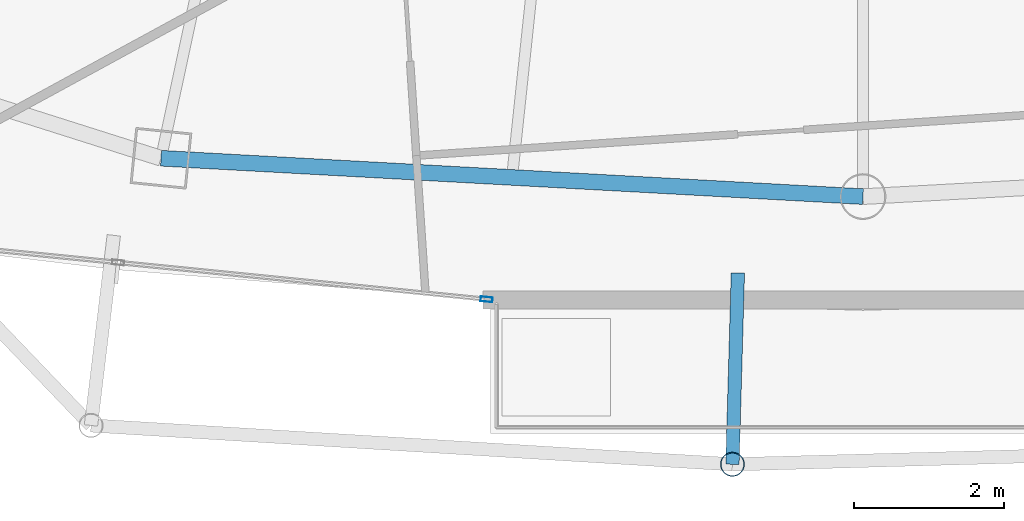
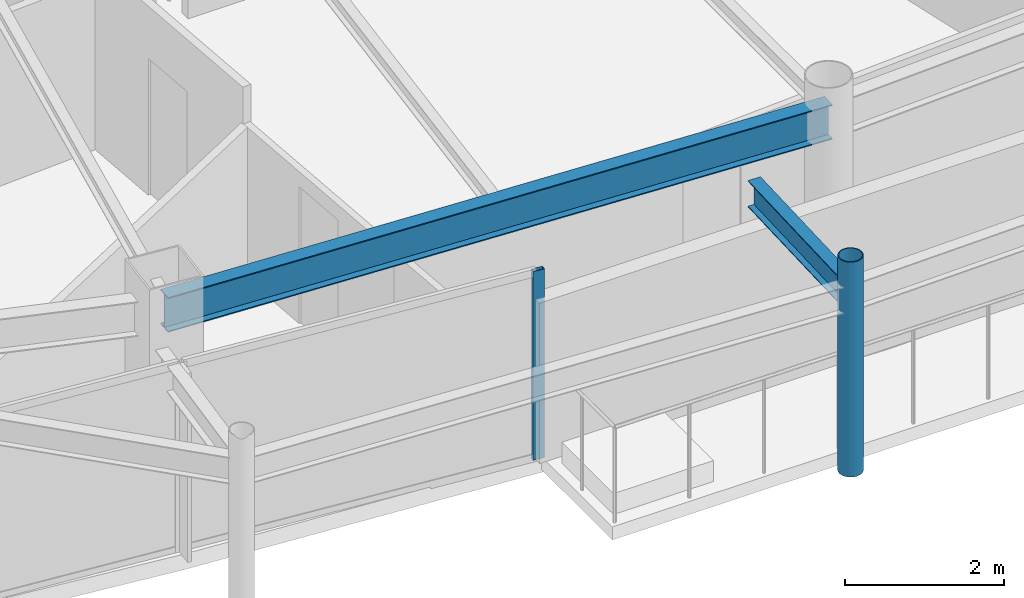
# One storey, part 7 of 29: 2 beams, 2 members, 1 element without a shape of its own.
"""IFC4 building model written with IfcOpenShell, lengths in metres."""

from ifc_helpers import new_model, si_unit, direction, frame, origin, origin_2d, place, context, subcontext, project, spatial, hollow_rectangle, hollow_circle, i_section, extrude, material, layer, layer_set, material_profile, profile_set, type_object, element, aggregate, save


model = new_model("IFC4")

# Units and contexts
model_context = context("Model", 3, precision=1e-05, world=origin(), true_north=direction((0.0, 1.0)))
body_context = subcontext(model_context, "Body", "Model", "MODEL_VIEW")
ifc_project = project(units=[si_unit("LENGTHUNIT", "METRE"), si_unit("AREAUNIT", "SQUARE_METRE"), si_unit("VOLUMEUNIT", "CUBIC_METRE"), si_unit("PLANEANGLEUNIT", "RADIAN"), si_unit("MASSUNIT", "GRAM", prefix="KILO")], contexts=[model_context])

# Site, building, storey
site_placement = place(None, origin())
site = spatial("IfcSite", under=ifc_project, at=site_placement, CompositionType="ELEMENT")
building_placement = place(site_placement, origin())
building = spatial("IfcBuilding", under=site, at=building_placement, Name="Orvanel Arch Residences", CompositionType="ELEMENT")
storey_placement = place(building_placement, frame((0.0, 0.0, 253.550048828125)))
storey = spatial("IfcBuildingStorey", under=building, at=storey_placement, Name="L72", CompositionType="ELEMENT", Elevation=253.550048828125)

# Curtain wall, member
ifc_material_1 = material(Name="Bronze-anodised aluminium AA6063-T6", Category="aluminium")
ifc_layer = layer(ifc_material_1, 0.175048828125)
ifc_layer_set = layer_set([ifc_layer], Name="Bronze-anodised aluminium AA6063-T6")
curtain_wall_type = type_object("IfcCurtainWallType", Name="CW4-HI-SYS", PredefinedType="NOTDEFINED", material=ifc_layer_set)
curtain_wall_placement = place(storey_placement, origin())
curtain_wall = element("IfcCurtainWall", 1, at=curtain_wall_placement, inside=storey, type_object=curtain_wall_type, Name="L72 CW4-HI-SYS Unitised Curtain Wall", PredefinedType="NOTDEFINED")
ifc_material_profile_1 = material_profile(ifc_material_1, hollow_rectangle(XDim=0.06494140625, YDim=0.159912109375, WallThickness=0.00390625, at=origin_2d()), Name="ALU160x65x4")
ifc_profile_set_1 = profile_set([ifc_material_profile_1], Name="Bronze-anodised aluminium AA6063-T6")
member_type_1 = type_object("IfcMemberType", Name="MUL-160x65", PredefinedType="MULLION", material=ifc_profile_set_1)
member_1_placement = place(storey_placement, frame((27.986572265625, 5.475341796875, 0.0), z_axis=(0.0, 0.0, 1.0), x_axis=(0.099583474002, 0.995029211484, 0.0)))
member_1 = element("IfcMember", 2, at=member_1_placement, type_object=member_type_1, Name="CW-S4 mullion 3", PredefinedType="MULLION", context=body_context, shape_type="SweptSolid", body=[
    extrude(hollow_rectangle(XDim=0.06494140625, YDim=0.159912109375, WallThickness=0.00390625, at=origin_2d()), origin(), (0.0, 0.0, 1.0), 2.89990234375),
])
aggregate(curtain_wall, [member_1])

# Beams
ifc_material_2 = material(Name="Structural steel AS/NZS 3679.1 Grade 300 (300 MPa)", Category="steel")
ifc_material_profile_2 = material_profile(ifc_material_2, i_section(OverallWidth=0.177978515625, OverallDepth=0.406005859375, WebThickness=0.0078125, FlangeThickness=0.0126953125, at=origin_2d()), Name="410UB59.7")
ifc_profile_set_2 = profile_set([ifc_material_profile_2], Name="Structural steel AS/NZS 3679.1 Grade 300 (300 MPa)")
beam_type_1 = type_object("IfcBeamType", Name="OB-410UB-EXT", PredefinedType="SPANDREL", material=ifc_profile_set_2)
beam_1_placement = place(storey_placement, frame((31.3330078125, 5.826904296875, 2.697021484375), z_axis=(-0.02824543107, -0.999601018219, 0.0), x_axis=(0.999601018219, -0.02824543107, 0.0)))
element("IfcBeam", 3, at=beam_1_placement, inside=storey, type_object=beam_type_1, Name="L72 Outer Frame Radial Tie Beam 06", PredefinedType="SPANDREL", context=body_context, shape_type="SweptSolid", body=[
    extrude(i_section(OverallWidth=0.177978515625, OverallDepth=0.406005859375, WebThickness=0.0078125, FlangeThickness=0.0126953125, at=origin_2d()), origin(), (0.0, 0.0, 1.0), 2.5498046875),
])
ifc_material_profile_3 = material_profile(ifc_material_2, i_section(OverallWidth=0.208984375, OverallDepth=0.532958984375, WebThickness=0.01025390625, FlangeThickness=0.015625, at=origin_2d()), Name="530UB92.4")
ifc_profile_set_3 = profile_set([ifc_material_profile_3], Name="Structural steel AS/NZS 3679.1 Grade 300 (300 MPa)")
beam_type_2 = type_object("IfcBeamType", Name="SP-530UB", PredefinedType="SPANDREL", material=ifc_profile_set_3)
beam_2_placement = place(storey_placement, frame((23.64892578125, 7.35498046875, 2.633056640625), z_axis=(0.998510315598, -0.054563262768, 0.0), x_axis=(0.054563262768, 0.998510315598, 0.0)))
element("IfcBeam", 4, at=beam_2_placement, inside=storey, type_object=beam_type_2, Name="L72 Perimeter Spandrel Beam 03", PredefinedType="SPANDREL", context=body_context, shape_type="SweptSolid", body=[
    extrude(i_section(OverallWidth=0.208984375, OverallDepth=0.532958984375, WebThickness=0.01025390625, FlangeThickness=0.015625, at=origin_2d()), origin(), (0.0, 0.0, 1.0), 9.364990234375),
])

# Member
ifc_material_3 = material(Name="Structural steel AS/NZS 1163 C350L0 (Grade 350)", Category="steel")
ifc_material_profile_4 = material_profile(ifc_material_3, hollow_circle(Radius=0.162109375, WallThickness=0.0126953125, at=origin_2d()), Name="CHS324x12.7")
ifc_profile_set_4 = profile_set([ifc_material_profile_4], Name="Structural steel AS/NZS 1163 C350L0 (Grade 350)")
member_type_2 = type_object("IfcMemberType", Name="ST-324CHS-EXT", PredefinedType="STRUT", material=ifc_profile_set_4)
member_2_placement = place(storey_placement, frame((31.260986328125, 3.278076171875, 0.0), z_axis=(0.0, 0.0, 1.0), x_axis=(1.0, 0.0, 0.0)))
element("IfcMember", 5, at=member_2_placement, inside=storey, type_object=member_type_2, Name="L72 Outer Perimeter Frame Post 06", PredefinedType="STRUT", context=body_context, shape_type="SweptSolid", body=[
    extrude(hollow_circle(Radius=0.162109375, WallThickness=0.0126953125, at=origin_2d()), origin(), (0.0, 0.0, 1.0), 3.300048828125),
])

save(model, "model.ifc")
